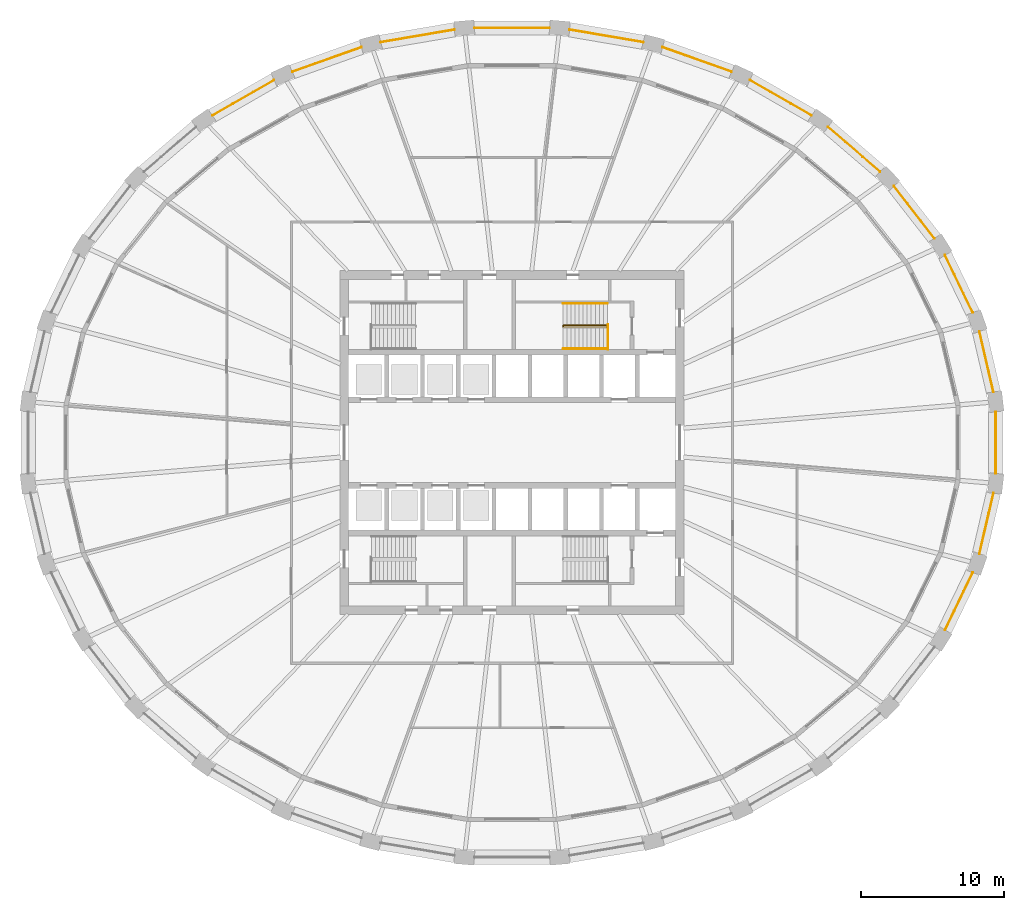
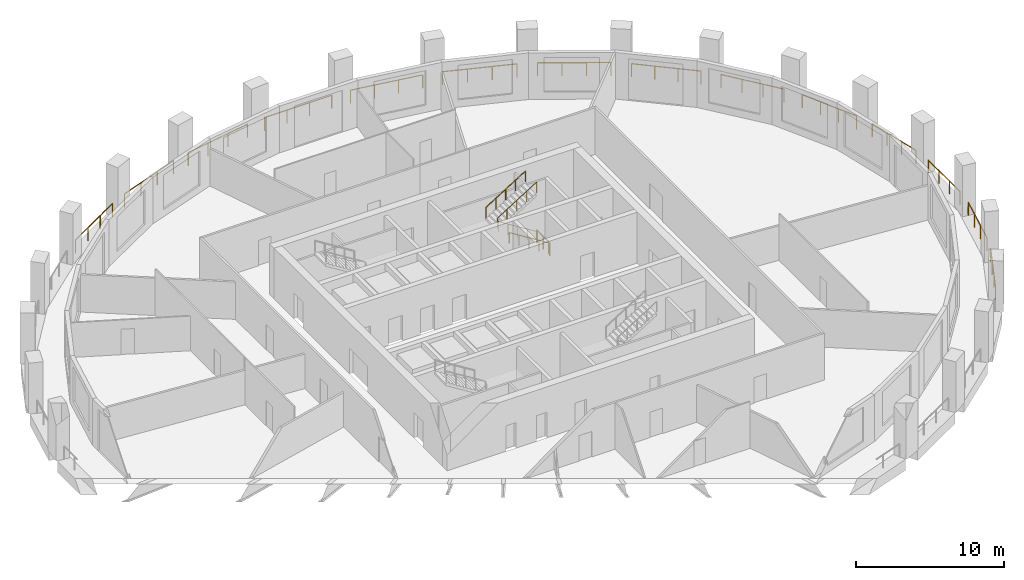
# One storey, part 9 of 10: 18 railings.
"""IFC4 building model written with IfcOpenShell, lengths in metres."""

from ifc_helpers import new_model, si_unit, direction, frame, origin, origin_2d, place, context, subcontext, project, spatial, circle, extrude, material, type_object, element, save


model = new_model("IFC4")

# Units and contexts
model_context = context("Model", 3, precision=1e-05, world=origin(), true_north=direction((0.0, 1.0)))
body_context = subcontext(model_context, "Body", "Model", "MODEL_VIEW")
ifc_project = project(units=[si_unit("LENGTHUNIT", "METRE"), si_unit("AREAUNIT", "SQUARE_METRE"), si_unit("VOLUMEUNIT", "CUBIC_METRE"), si_unit("PLANEANGLEUNIT", "RADIAN"), si_unit("MASSUNIT", "GRAM", prefix="KILO")], contexts=[model_context])

# Site, building, storey
site_placement = place(None, origin())
site = spatial("IfcSite", under=ifc_project, at=site_placement, CompositionType="ELEMENT")
building_placement = place(site_placement, origin())
building = spatial("IfcBuilding", under=site, at=building_placement, Name="Halqa Exchange Tower", CompositionType="ELEMENT")
storey_placement = place(building_placement, frame((0.0, 0.0, 163.300048828125)))
storey = spatial("IfcBuildingStorey", under=building, at=storey_placement, Name="L37", CompositionType="ELEMENT", Elevation=163.300048828125)

# Railings
ifc_material = material(Name="Stainless steel", Category="steel")
railing_type_1 = type_object("IfcRailingType", Name="Guard 1100 stainless steel", PredefinedType="GUARDRAIL", material=ifc_material)
railing_1_placement = place(storey_placement, frame((33.599609375, 3.53173828125, 0.0)))
element("IfcRailing", 1, at=railing_1_placement, inside=storey, type_object=railing_type_1, Name="Loggia guard 1", PredefinedType="GUARDRAIL", context=body_context, shape_type="SweptSolid", body=[
    extrude(circle(Radius=0.02392578125, at=origin_2d()), frame((0.0, 0.0, 1.076171875), z_axis=(-0.226083943623, 0.974107822798, 0.0), x_axis=(-0.974107822798, -0.226083943623, 0.0)), (0.0, 0.0, 1.0), 4.3388671875),
    extrude(circle(Radius=0.02099609375, at=origin_2d()), origin(), (0.0, 0.0, 1.0), 1.052001953125),
    extrude(circle(Radius=0.02099609375, at=origin_2d()), frame((-0.326904296875, 1.408935546875, 0.0)), (0.0, 0.0, 1.0), 1.052001953125),
    extrude(circle(Radius=0.02099609375, at=origin_2d()), frame((-0.654052734375, 2.817626953125, 0.0)), (0.0, 0.0, 1.0), 1.052001953125),
    extrude(circle(Radius=0.02099609375, at=origin_2d()), frame((-0.98095703125, 4.2265625, 0.0)), (0.0, 0.0, 1.0), 1.052001953125),
])
railing_2_placement = place(storey_placement, frame((32.156005859375, 9.0703125, 0.0)))
element("IfcRailing", 2, at=railing_2_placement, inside=storey, type_object=railing_type_1, Name="Loggia guard 2", PredefinedType="GUARDRAIL", context=body_context, shape_type="SweptSolid", body=[
    extrude(circle(Radius=0.02392578125, at=origin_2d()), frame((0.0, 0.0, 1.076171875), z_axis=(-0.435143450916, 0.900361137058, 0.0), x_axis=(-0.900361137058, -0.435143450916, 0.0)), (0.0, 0.0, 1.0), 4.44873046875),
    extrude(circle(Radius=0.02099609375, at=origin_2d()), origin(), (0.0, 0.0, 1.0), 1.052001953125),
    extrude(circle(Radius=0.02099609375, at=origin_2d()), frame((-0.645263671875, 1.335205078125, 0.0)), (0.0, 0.0, 1.0), 1.052001953125),
    extrude(circle(Radius=0.02099609375, at=origin_2d()), frame((-1.29052734375, 2.670166015625, 0.0)), (0.0, 0.0, 1.0), 1.052001953125),
    extrude(circle(Radius=0.02099609375, at=origin_2d()), frame((-1.935791015625, 4.00537109375, 0.0)), (0.0, 0.0, 1.0), 1.052001953125),
])
railing_3_placement = place(storey_placement, frame((29.4853515625, 14.258056640625, 0.0)))
element("IfcRailing", 3, at=railing_3_placement, inside=storey, type_object=railing_type_1, Name="Loggia guard 3", PredefinedType="GUARDRAIL", context=body_context, shape_type="SweptSolid", body=[
    extrude(circle(Radius=0.02392578125, at=origin_2d()), frame((0.0, 0.0, 1.076171875), z_axis=(-0.614787396714, 0.788692878655, 0.0), x_axis=(-0.788692878655, -0.614787396714, 0.0)), (0.0, 0.0, 1.0), 4.60888671875),
    extrude(circle(Radius=0.02099609375, at=origin_2d()), origin(), (0.0, 0.0, 1.0), 1.052001953125),
    extrude(circle(Radius=0.02099609375, at=origin_2d()), frame((-0.944580078125, 1.211669921875, 0.0)), (0.0, 0.0, 1.0), 1.052001953125),
    extrude(circle(Radius=0.02099609375, at=origin_2d()), frame((-1.888916015625, 2.42333984375, 0.0)), (0.0, 0.0, 1.0), 1.052001953125),
    extrude(circle(Radius=0.02099609375, at=origin_2d()), frame((-2.83349609375, 3.635009765625, 0.0)), (0.0, 0.0, 1.0), 1.052001953125),
])
railing_4_placement = place(storey_placement, frame((25.68994140625, 18.900634765625, 0.0)))
element("IfcRailing", 4, at=railing_4_placement, inside=storey, type_object=railing_type_1, Name="Loggia guard 4", PredefinedType="GUARDRAIL", context=body_context, shape_type="SweptSolid", body=[
    extrude(circle(Radius=0.02392578125, at=origin_2d()), frame((0.0, 0.0, 1.076171875), z_axis=(-0.759245815902, 0.650803957452, 0.0), x_axis=(-0.650803957452, -0.759245815902, 0.0)), (0.0, 0.0, 1.0), 4.793212890625),
    extrude(circle(Radius=0.02099609375, at=origin_2d()), origin(), (0.0, 0.0, 1.0), 1.052001953125),
    extrude(circle(Radius=0.02099609375, at=origin_2d()), frame((-1.213134765625, 1.039794921875, 0.0)), (0.0, 0.0, 1.0), 1.052001953125),
    extrude(circle(Radius=0.02099609375, at=origin_2d()), frame((-2.426025390625, 2.07958984375, 0.0)), (0.0, 0.0, 1.0), 1.052001953125),
    extrude(circle(Radius=0.02099609375, at=origin_2d()), frame((-3.63916015625, 3.119384765625, 0.0)), (0.0, 0.0, 1.0), 1.052001953125),
])
railing_5_placement = place(storey_placement, frame((20.911865234375, 22.8232421875, 0.0)))
element("IfcRailing", 5, at=railing_5_placement, inside=storey, type_object=railing_type_1, Name="Loggia guard 5", PredefinedType="GUARDRAIL", context=body_context, shape_type="SweptSolid", body=[
    extrude(circle(Radius=0.02392578125, at=origin_2d()), frame((0.0, 0.0, 1.076171875), z_axis=(-0.867750144397, 0.497000691044, 0.0), x_axis=(-0.497000691044, -0.867750144397, 0.0)), (0.0, 0.0, 1.0), 4.9716796875),
    extrude(circle(Radius=0.02099609375, at=origin_2d()), origin(), (0.0, 0.0, 1.0), 1.052001953125),
    extrude(circle(Radius=0.02099609375, at=origin_2d()), frame((-1.43798828125, 0.82373046875, 0.0)), (0.0, 0.0, 1.0), 1.052001953125),
    extrude(circle(Radius=0.02099609375, at=origin_2d()), frame((-2.876220703125, 1.647216796875, 0.0)), (0.0, 0.0, 1.0), 1.052001953125),
    extrude(circle(Radius=0.02099609375, at=origin_2d()), frame((-4.314208984375, 2.470947265625, 0.0)), (0.0, 0.0, 1.0), 1.052001953125),
])
railing_6_placement = place(storey_placement, frame((15.33056640625, 25.876220703125, 0.0)))
element("IfcRailing", 6, at=railing_6_placement, inside=storey, type_object=railing_type_1, Name="Loggia guard 6", PredefinedType="GUARDRAIL", context=body_context, shape_type="SweptSolid", body=[
    extrude(circle(Radius=0.02392578125, at=origin_2d()), frame((0.0, 0.0, 1.076171875), z_axis=(-0.942356449768, 0.334610701532, 0.0), x_axis=(-0.334610701532, -0.942356449768, 0.0)), (0.0, 0.0, 1.0), 5.119140625),
    extrude(circle(Radius=0.02099609375, at=origin_2d()), origin(), (0.0, 0.0, 1.0), 1.052001953125),
    extrude(circle(Radius=0.02099609375, at=origin_2d()), frame((-1.60791015625, 0.571044921875, 0.0)), (0.0, 0.0, 1.0), 1.052001953125),
    extrude(circle(Radius=0.02099609375, at=origin_2d()), frame((-3.216064453125, 1.141845703125, 0.0)), (0.0, 0.0, 1.0), 1.052001953125),
    extrude(circle(Radius=0.02099609375, at=origin_2d()), frame((-4.823974609375, 1.712890625, 0.0)), (0.0, 0.0, 1.0), 1.052001953125),
])
railing_7_placement = place(storey_placement, frame((9.15673828125, 27.94091796875, 0.0)))
element("IfcRailing", 7, at=railing_7_placement, inside=storey, type_object=railing_type_1, Name="Loggia guard 7", PredefinedType="GUARDRAIL", context=body_context, shape_type="SweptSolid", body=[
    extrude(circle(Radius=0.02392578125, at=origin_2d()), frame((0.0, 0.0, 1.076171875), z_axis=(-0.985781275518, 0.168033558668, 0.0), x_axis=(-0.168033558668, -0.985781275518, 0.0)), (0.0, 0.0, 1.0), 5.216064453125),
    extrude(circle(Radius=0.02099609375, at=origin_2d()), origin(), (0.0, 0.0, 1.0), 1.052001953125),
    extrude(circle(Radius=0.02099609375, at=origin_2d()), frame((-1.7138671875, 0.292236328125, 0.0)), (0.0, 0.0, 1.0), 1.052001953125),
    extrude(circle(Radius=0.02099609375, at=origin_2d()), frame((-3.427978515625, 0.584228515625, 0.0)), (0.0, 0.0, 1.0), 1.052001953125),
    extrude(circle(Radius=0.02099609375, at=origin_2d()), frame((-5.141845703125, 0.87646484375, 0.0)), (0.0, 0.0, 1.0), 1.052001953125),
])
railing_8_placement = place(storey_placement, frame((2.624755859375, 28.935302734375, 0.0)))
element("IfcRailing", 8, at=railing_8_placement, inside=storey, type_object=railing_type_1, Name="Loggia guard 8", PredefinedType="GUARDRAIL", context=body_context, shape_type="SweptSolid", body=[
    extrude(circle(Radius=0.02392578125, at=origin_2d()), frame((0.0, 0.0, 1.076171875), z_axis=(-1.0, 0.0, 0.0), x_axis=(0.0, -1.0, 0.0)), (0.0, 0.0, 1.0), 5.24951171875),
    extrude(circle(Radius=0.02099609375, at=origin_2d()), origin(), (0.0, 0.0, 1.0), 1.052001953125),
    extrude(circle(Radius=0.02099609375, at=origin_2d()), frame((-1.749755859375, 0.0, 0.0)), (0.0, 0.0, 1.0), 1.052001953125),
    extrude(circle(Radius=0.02099609375, at=origin_2d()), frame((-3.499755859375, 0.0, 0.0)), (0.0, 0.0, 1.0), 1.052001953125),
    extrude(circle(Radius=0.02099609375, at=origin_2d()), frame((-5.24951171875, 0.0, 0.0)), (0.0, 0.0, 1.0), 1.052001953125),
])
railing_9_placement = place(storey_placement, frame((-4.014892578125, 28.8173828125, 0.0)))
element("IfcRailing", 9, at=railing_9_placement, inside=storey, type_object=railing_type_1, Name="Loggia guard 9", PredefinedType="GUARDRAIL", context=body_context, shape_type="SweptSolid", body=[
    extrude(circle(Radius=0.02392578125, at=origin_2d()), frame((0.0, 0.0, 1.076171875), z_axis=(-0.985781275518, -0.168033558668, 0.0), x_axis=(0.168033558668, -0.985781275518, 0.0)), (0.0, 0.0, 1.0), 5.216064453125),
    extrude(circle(Radius=0.02099609375, at=origin_2d()), origin(), (0.0, 0.0, 1.0), 1.052001953125),
    extrude(circle(Radius=0.02099609375, at=origin_2d()), frame((-1.7138671875, -0.292236328125, 0.0)), (0.0, 0.0, 1.0), 1.052001953125),
    extrude(circle(Radius=0.02099609375, at=origin_2d()), frame((-3.427978515625, -0.584228515625, 0.0)), (0.0, 0.0, 1.0), 1.052001953125),
    extrude(circle(Radius=0.02099609375, at=origin_2d()), frame((-5.141845703125, -0.87646484375, 0.0)), (0.0, 0.0, 1.0), 1.052001953125),
])
railing_10_placement = place(storey_placement, frame((-10.506591796875, 27.589111328125, 0.0)))
element("IfcRailing", 10, at=railing_10_placement, inside=storey, type_object=railing_type_1, Name="Loggia guard 10", PredefinedType="GUARDRAIL", context=body_context, shape_type="SweptSolid", body=[
    extrude(circle(Radius=0.02392578125, at=origin_2d()), frame((0.0, 0.0, 1.076171875), z_axis=(-0.942356449768, -0.334610701532, 0.0), x_axis=(0.334610701532, -0.942356449768, 0.0)), (0.0, 0.0, 1.0), 5.119140625),
    extrude(circle(Radius=0.02099609375, at=origin_2d()), origin(), (0.0, 0.0, 1.0), 1.052001953125),
    extrude(circle(Radius=0.02099609375, at=origin_2d()), frame((-1.60791015625, -0.571044921875, 0.0)), (0.0, 0.0, 1.0), 1.052001953125),
    extrude(circle(Radius=0.02099609375, at=origin_2d()), frame((-3.216064453125, -1.141845703125, 0.0)), (0.0, 0.0, 1.0), 1.052001953125),
    extrude(circle(Radius=0.02099609375, at=origin_2d()), frame((-4.823974609375, -1.712890625, 0.0)), (0.0, 0.0, 1.0), 1.052001953125),
])
railing_11_placement = place(storey_placement, frame((-16.59765625, 25.294189453125, 0.0)))
element("IfcRailing", 11, at=railing_11_placement, inside=storey, type_object=railing_type_1, Name="Loggia guard 11", PredefinedType="GUARDRAIL", context=body_context, shape_type="SweptSolid", body=[
    extrude(circle(Radius=0.02392578125, at=origin_2d()), frame((0.0, 0.0, 1.076171875), z_axis=(-0.867750144397, -0.497000691044, 0.0), x_axis=(0.497000691044, -0.867750144397, 0.0)), (0.0, 0.0, 1.0), 4.9716796875),
    extrude(circle(Radius=0.02099609375, at=origin_2d()), origin(), (0.0, 0.0, 1.0), 1.052001953125),
    extrude(circle(Radius=0.02099609375, at=origin_2d()), frame((-1.43798828125, -0.82373046875, 0.0)), (0.0, 0.0, 1.0), 1.052001953125),
    extrude(circle(Radius=0.02099609375, at=origin_2d()), frame((-2.876220703125, -1.647216796875, 0.0)), (0.0, 0.0, 1.0), 1.052001953125),
    extrude(circle(Radius=0.02099609375, at=origin_2d()), frame((-4.314208984375, -2.470947265625, 0.0)), (0.0, 0.0, 1.0), 1.052001953125),
])
railing_12_placement = place(storey_placement, frame((30.22021484375, -13.07568359375, 0.0)))
element("IfcRailing", 12, at=railing_12_placement, inside=storey, type_object=railing_type_1, Name="Loggia guard 30", PredefinedType="GUARDRAIL", context=body_context, shape_type="SweptSolid", body=[
    extrude(circle(Radius=0.02392578125, at=origin_2d()), frame((0.0, 0.0, 1.076171875), z_axis=(0.435143450916, 0.900361137058, 0.0), x_axis=(-0.900361137058, 0.435143450916, 0.0)), (0.0, 0.0, 1.0), 4.44873046875),
    extrude(circle(Radius=0.02099609375, at=origin_2d()), origin(), (0.0, 0.0, 1.0), 1.052001953125),
    extrude(circle(Radius=0.02099609375, at=origin_2d()), frame((0.645263671875, 1.335205078125, 0.0)), (0.0, 0.0, 1.0), 1.052001953125),
    extrude(circle(Radius=0.02099609375, at=origin_2d()), frame((1.29052734375, 2.670166015625, 0.0)), (0.0, 0.0, 1.0), 1.052001953125),
    extrude(circle(Radius=0.02099609375, at=origin_2d()), frame((1.935791015625, 4.00537109375, 0.0)), (0.0, 0.0, 1.0), 1.052001953125),
])
railing_13_placement = place(storey_placement, frame((32.61865234375, -7.75830078125, 0.0)))
element("IfcRailing", 13, at=railing_13_placement, inside=storey, type_object=railing_type_1, Name="Loggia guard 31", PredefinedType="GUARDRAIL", context=body_context, shape_type="SweptSolid", body=[
    extrude(circle(Radius=0.02392578125, at=origin_2d()), frame((0.0, 0.0, 1.076171875), z_axis=(0.226083943623, 0.974107822798, 0.0), x_axis=(-0.974107822798, 0.226083943623, 0.0)), (0.0, 0.0, 1.0), 4.3388671875),
    extrude(circle(Radius=0.02099609375, at=origin_2d()), origin(), (0.0, 0.0, 1.0), 1.052001953125),
    extrude(circle(Radius=0.02099609375, at=origin_2d()), frame((0.326904296875, 1.408935546875, 0.0)), (0.0, 0.0, 1.0), 1.052001953125),
    extrude(circle(Radius=0.02099609375, at=origin_2d()), frame((0.654052734375, 2.817626953125, 0.0)), (0.0, 0.0, 1.0), 1.052001953125),
    extrude(circle(Radius=0.02099609375, at=origin_2d()), frame((0.98095703125, 4.2265625, 0.0)), (0.0, 0.0, 1.0), 1.052001953125),
])
railing_14_placement = place(storey_placement, frame((33.7578125, -2.14990234375, 0.0)))
element("IfcRailing", 14, at=railing_14_placement, inside=storey, type_object=railing_type_1, Name="Loggia guard 32", PredefinedType="GUARDRAIL", context=body_context, shape_type="SweptSolid", body=[
    extrude(circle(Radius=0.02392578125, at=origin_2d()), frame((0.0, 0.0, 1.076171875), z_axis=(0.0, 1.0, 0.0), x_axis=(-1.0, 0.0, 0.0)), (0.0, 0.0, 1.0), 4.2998046875),
    extrude(circle(Radius=0.02099609375, at=origin_2d()), origin(), (0.0, 0.0, 1.0), 1.052001953125),
    extrude(circle(Radius=0.02099609375, at=origin_2d()), frame((0.0, 1.433349609375, 0.0)), (0.0, 0.0, 1.0), 1.052001953125),
    extrude(circle(Radius=0.02099609375, at=origin_2d()), frame((0.0, 2.866455078125, 0.0)), (0.0, 0.0, 1.0), 1.052001953125),
    extrude(circle(Radius=0.02099609375, at=origin_2d()), frame((0.0, 4.2998046875, 0.0)), (0.0, 0.0, 1.0), 1.052001953125),
])
railing_type_2 = type_object("IfcRailingType", Name="Stair handrail 900", PredefinedType="HANDRAIL", material=ifc_material)
railing_15_placement = place(storey_placement, frame((6.64990234375, 8.06005859375, 0.175048828125)))
element("IfcRailing", 15, at=railing_15_placement, inside=storey, type_object=railing_type_2, Name="Handrail ST2.1", PredefinedType="HANDRAIL", context=body_context, shape_type="SweptSolid", body=[
    extrude(circle(Radius=0.02392578125, at=origin_2d()), frame((0.0, 0.0, 0.8759765625), z_axis=(-0.848009633417, 0.0, 0.529980812513), x_axis=(0.0, -1.0, 0.0)), (0.0, 0.0, 1.0), 3.6318359375),
    extrude(circle(Radius=0.02392578125, at=origin_2d()), frame((-3.079833984375, 0.0, 2.80078125), z_axis=(0.0, 0.595870227118, 0.803080738428), x_axis=(-1.0, 0.0, 0.0)), (0.0, 0.0, 1.0), 0.218017578125),
    extrude(circle(Radius=0.02392578125, at=origin_2d()), frame((-3.079833984375, 0.1298828125, 2.9755859375), z_axis=(0.847979421464, 0.0, 0.530029150871), x_axis=(0.0, 1.0, 0.0)), (0.0, 0.0, 1.0), 3.632080078125),
    extrude(circle(Radius=0.02099609375, at=origin_2d()), origin(), (0.0, 0.0, 1.0), 0.851806640625),
    extrude(circle(Radius=0.02099609375, at=origin_2d()), frame((-0.77001953125, 0.0, 0.481201171875)), (0.0, 0.0, 1.0), 0.851806640625),
    extrude(circle(Radius=0.02099609375, at=origin_2d()), frame((-1.5400390625, 0.0, 0.96240234375)), (0.0, 0.0, 1.0), 0.851806640625),
    extrude(circle(Radius=0.02099609375, at=origin_2d()), frame((-2.309814453125, 0.0, 1.443603515625)), (0.0, 0.0, 1.0), 0.851806640625),
    extrude(circle(Radius=0.02099609375, at=origin_2d()), frame((-3.079833984375, 0.0, 1.9248046875)), (0.0, 0.0, 1.0), 0.851806640625),
    extrude(circle(Radius=0.02099609375, at=origin_2d()), frame((-3.079833984375, 0.1298828125, 2.099853515625)), (0.0, 0.0, 1.0), 0.851806640625),
    extrude(circle(Radius=0.02099609375, at=origin_2d()), frame((-2.309814453125, 0.1298828125, 2.5810546875)), (0.0, 0.0, 1.0), 0.851806640625),
    extrude(circle(Radius=0.02099609375, at=origin_2d()), frame((-1.5400390625, 0.1298828125, 3.0625)), (0.0, 0.0, 1.0), 0.851806640625),
    extrude(circle(Radius=0.02099609375, at=origin_2d()), frame((-0.77001953125, 0.1298828125, 3.543701171875)), (0.0, 0.0, 1.0), 0.851806640625),
    extrude(circle(Radius=0.02099609375, at=origin_2d()), frame((0.0, 0.1298828125, 4.02490234375)), (0.0, 0.0, 1.0), 0.851806640625),
])
railing_16_placement = place(storey_placement, frame((6.64990234375, 6.550048828125, 0.175048828125)))
element("IfcRailing", 16, at=railing_16_placement, inside=storey, type_object=railing_type_2, Name="Handrail ST2.2", PredefinedType="HANDRAIL", context=body_context, shape_type="SweptSolid", body=[
    extrude(circle(Radius=0.02392578125, at=origin_2d()), frame((0.0, 0.0, 0.8759765625), z_axis=(-0.848009633417, 0.0, 0.529980812513), x_axis=(0.0, -1.0, 0.0)), (0.0, 0.0, 1.0), 3.6318359375),
    extrude(circle(Radius=0.02099609375, at=origin_2d()), origin(), (0.0, 0.0, 1.0), 0.851806640625),
    extrude(circle(Radius=0.02099609375, at=origin_2d()), frame((-0.77001953125, 0.0, 0.481201171875)), (0.0, 0.0, 1.0), 0.851806640625),
    extrude(circle(Radius=0.02099609375, at=origin_2d()), frame((-1.5400390625, 0.0, 0.96240234375)), (0.0, 0.0, 1.0), 0.851806640625),
    extrude(circle(Radius=0.02099609375, at=origin_2d()), frame((-2.309814453125, 0.0, 1.443603515625)), (0.0, 0.0, 1.0), 0.851806640625),
    extrude(circle(Radius=0.02099609375, at=origin_2d()), frame((-3.079833984375, 0.0, 1.9248046875)), (0.0, 0.0, 1.0), 0.851806640625),
])
railing_17_placement = place(storey_placement, frame((3.570068359375, 9.699951171875, 2.27490234375)))
element("IfcRailing", 17, at=railing_17_placement, inside=storey, type_object=railing_type_2, Name="Handrail ST2.3", PredefinedType="HANDRAIL", context=body_context, shape_type="SweptSolid", body=[
    extrude(circle(Radius=0.02392578125, at=origin_2d()), frame((0.0, 0.0, 0.8759765625), z_axis=(0.847979421464, 0.0, 0.530029150871), x_axis=(0.0, 1.0, 0.0)), (0.0, 0.0, 1.0), 3.632080078125),
    extrude(circle(Radius=0.02099609375, at=origin_2d()), origin(), (0.0, 0.0, 1.0), 0.851806640625),
    extrude(circle(Radius=0.02099609375, at=origin_2d()), frame((0.77001953125, 0.0, 0.481201171875)), (0.0, 0.0, 1.0), 0.851806640625),
    extrude(circle(Radius=0.02099609375, at=origin_2d()), frame((1.5400390625, 0.0, 0.96240234375)), (0.0, 0.0, 1.0), 0.851806640625),
    extrude(circle(Radius=0.02099609375, at=origin_2d()), frame((2.309814453125, 0.0, 1.44384765625)), (0.0, 0.0, 1.0), 0.851806640625),
    extrude(circle(Radius=0.02099609375, at=origin_2d()), frame((3.079833984375, 0.0, 1.925048828125)), (0.0, 0.0, 1.0), 0.851806640625),
])
railing_type_3 = type_object("IfcRailingType", Name="Stair well guard 1100", PredefinedType="GUARDRAIL", material=ifc_material)
railing_18_placement = place(storey_placement, frame((6.699951171875, 6.5, 0.0)))
element("IfcRailing", 18, at=railing_18_placement, inside=storey, type_object=railing_type_3, Name="Guard ST2 well", PredefinedType="GUARDRAIL", context=body_context, shape_type="SweptSolid", body=[
    extrude(circle(Radius=0.02392578125, at=origin_2d()), frame((0.0, 0.0, 1.076171875), z_axis=(0.0, 1.0, 0.0), x_axis=(-1.0, 0.0, 0.0)), (0.0, 0.0, 1.0), 1.75),
    extrude(circle(Radius=0.02099609375, at=origin_2d()), origin(), (0.0, 0.0, 1.0), 1.052001953125),
    extrude(circle(Radius=0.02099609375, at=origin_2d()), frame((0.0, 0.875, 0.0)), (0.0, 0.0, 1.0), 1.052001953125),
    extrude(circle(Radius=0.02099609375, at=origin_2d()), frame((0.0, 1.75, 0.0)), (0.0, 0.0, 1.0), 1.052001953125),
])

save(model, "model.ifc")
